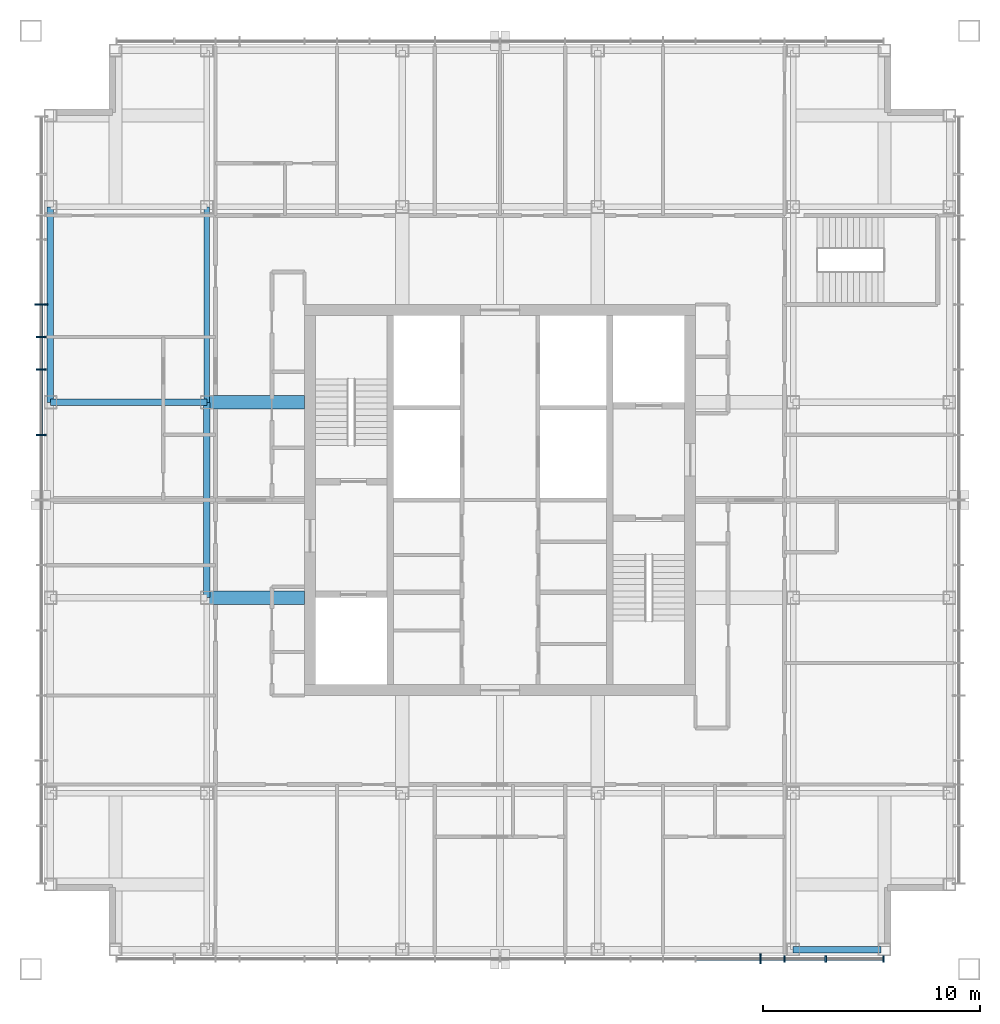
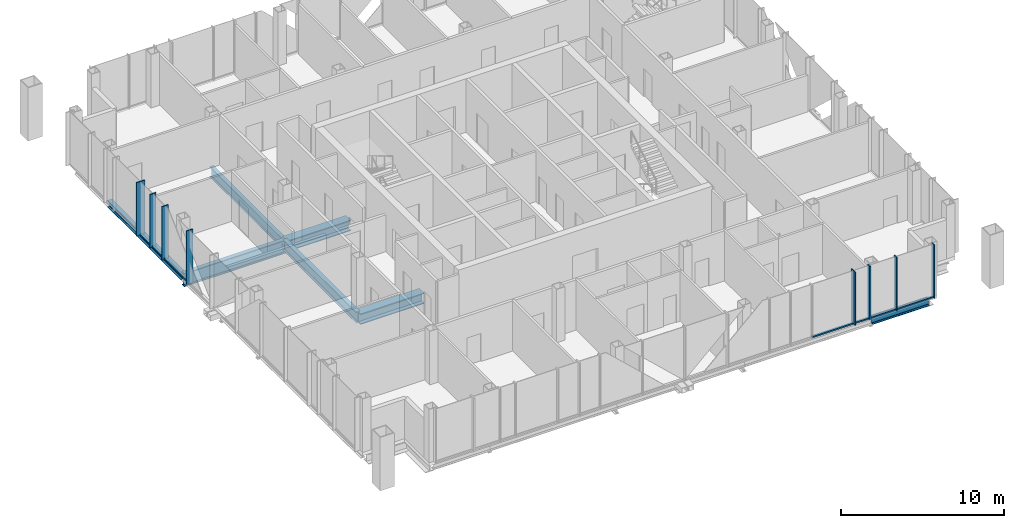
# One storey, part 3 of 12: 15 members, 7 beams, 2 elements without a shape of their own.
"""IFC4 building model written with IfcOpenShell, lengths in metres."""

from ifc_helpers import new_model, si_unit, direction, frame, origin, origin_2d, place, context, subcontext, project, spatial, rectangle, i_section, extrude, material, layer, layer_set, material_profile, profile_set, type_object, element, aggregate, save


model = new_model("IFC4")

# Units and contexts
model_context = context("Model", 3, precision=1e-05, world=origin(), true_north=direction((0.0, 1.0)))
body_context = subcontext(model_context, "Body", "Model", "MODEL_VIEW")
ifc_project = project(units=[si_unit("LENGTHUNIT", "METRE"), si_unit("AREAUNIT", "SQUARE_METRE"), si_unit("VOLUMEUNIT", "CUBIC_METRE"), si_unit("PLANEANGLEUNIT", "RADIAN"), si_unit("MASSUNIT", "GRAM", prefix="KILO")], contexts=[model_context])

# Site, building, storey
site_placement = place(None, origin())
site = spatial("IfcSite", under=ifc_project, at=site_placement, CompositionType="ELEMENT")
building_placement = place(site_placement, origin())
building = spatial("IfcBuilding", under=site, at=building_placement, Name="Malebo Sky Hospital", CompositionType="ELEMENT")
storey_placement = place(building_placement, frame((0.0, 0.0, 270.0)))
storey = spatial("IfcBuildingStorey", under=building, at=storey_placement, Name="L65", CompositionType="ELEMENT", Elevation=270.0)

# Curtain wall, members
ifc_material_1 = material(Name="Anodised aluminium, natural silver", Category="aluminium")
ifc_layer_1 = layer(ifc_material_1, 0.25)
ifc_layer_set_1 = layer_set([ifc_layer_1], Name="WARD CURTAIN WALL EAST AND WEST")
curtain_wall_type_1 = type_object("IfcCurtainWallType", Name="WARD CURTAIN WALL EAST AND WEST", PredefinedType="NOTDEFINED", material=ifc_layer_set_1)
curtain_wall_1_placement = place(storey_placement, origin())
curtain_wall_1 = element("IfcCurtainWall", 1, at=curtain_wall_1_placement, inside=storey, type_object=curtain_wall_type_1, Name="EW curtain wall W", PredefinedType="NOTDEFINED")
ifc_material_profile_1 = material_profile(ifc_material_1, rectangle(XDim=0.14990234375, YDim=0.10009765625, at=origin_2d()), Name="ALUMINIUM TRANSOM 150x100")
ifc_profile_set_1 = profile_set([ifc_material_profile_1], Name="Anodised aluminium, natural silver")
member_type_1 = type_object("IfcMemberType", Name="ALUMINIUM TRANSOM 150x100", PredefinedType="USERDEFINED", material=ifc_profile_set_1)
member_1_placement = place(storey_placement, frame((38.875, 65.03759765625, 0.050048828125), z_axis=(0.0, 1.0, 0.0), x_axis=(-1.0, 0.0, 0.0)))
member_1 = element("IfcMember", 2, at=member_1_placement, type_object=member_type_1, Name="Transom 9", ObjectType="TRANSOM", PredefinedType="USERDEFINED", context=body_context, shape_type="SweptSolid", body=[
    extrude(rectangle(XDim=0.14990234375, YDim=0.10009765625, at=origin_2d()), origin(), (0.0, 0.0, 1.0), 2.9248046875),
])
member_2_placement = place(storey_placement, frame((38.875, 68.03759765625, 0.050048828125), z_axis=(0.0, 1.0, 0.0), x_axis=(-1.0, 0.0, 0.0)))
member_2 = element("IfcMember", 3, at=member_2_placement, type_object=member_type_1, Name="Transom 10", ObjectType="TRANSOM", PredefinedType="USERDEFINED", context=body_context, shape_type="SweptSolid", body=[
    extrude(rectangle(XDim=0.14990234375, YDim=0.10009765625, at=origin_2d()), origin(), (0.0, 0.0, 1.0), 1.4248046875),
])
member_3_placement = place(storey_placement, frame((38.875, 69.53759765625, 0.050048828125), z_axis=(0.0, 1.0, 0.0), x_axis=(-1.0, 0.0, 0.0)))
member_3 = element("IfcMember", 4, at=member_3_placement, type_object=member_type_1, Name="Transom 11", ObjectType="TRANSOM", PredefinedType="USERDEFINED", context=body_context, shape_type="SweptSolid", body=[
    extrude(rectangle(XDim=0.14990234375, YDim=0.10009765625, at=origin_2d()), origin(), (0.0, 0.0, 1.0), 1.4248046875),
])

ifc_layer_2 = layer(ifc_material_1, 0.25)
ifc_layer_set_2 = layer_set([ifc_layer_2], Name="WARD CURTAIN WALL NORTH AND SOUTH")
curtain_wall_type_2 = type_object("IfcCurtainWallType", Name="WARD CURTAIN WALL NORTH AND SOUTH", PredefinedType="NOTDEFINED", material=ifc_layer_set_2)
curtain_wall_2_placement = place(storey_placement, origin())
curtain_wall_2 = element("IfcCurtainWall", 5, at=curtain_wall_2_placement, inside=storey, type_object=curtain_wall_type_2, Name="NS curtain wall S", PredefinedType="NOTDEFINED")
member_4_placement = place(storey_placement, frame((77.625, 40.875, 0.050048828125), z_axis=(-1.0, 0.0, 0.0), x_axis=(0.0, -1.0, 0.0)))
member_4 = element("IfcMember", 6, at=member_4_placement, type_object=member_type_1, Name="Transom 1", ObjectType="TRANSOM", PredefinedType="USERDEFINED", context=body_context, shape_type="SweptSolid", body=[
    extrude(rectangle(XDim=0.14990234375, YDim=0.10009765625, at=origin_2d()), origin(), (0.0, 0.0, 1.0), 2.58740234375),
])
member_5_placement = place(storey_placement, frame((74.96240234375, 40.875, 0.050048828125), z_axis=(-1.0, 0.0, 0.0), x_axis=(0.0, -1.0, 0.0)))
member_5 = element("IfcMember", 7, at=member_5_placement, type_object=member_type_1, Name="Transom 2", ObjectType="TRANSOM", PredefinedType="USERDEFINED", context=body_context, shape_type="SweptSolid", body=[
    extrude(rectangle(XDim=0.14990234375, YDim=0.10009765625, at=origin_2d()), origin(), (0.0, 0.0, 1.0), 1.824951171875),
])
member_6_placement = place(storey_placement, frame((73.0625, 40.875, 0.050048828125), z_axis=(-1.0, 0.0, 0.0), x_axis=(0.0, -1.0, 0.0)))
member_6 = element("IfcMember", 8, at=member_6_placement, type_object=member_type_1, Name="Transom 3", ObjectType="TRANSOM", PredefinedType="USERDEFINED", context=body_context, shape_type="SweptSolid", body=[
    extrude(rectangle(XDim=0.14990234375, YDim=0.10009765625, at=origin_2d()), origin(), (0.0, 0.0, 1.0), 1.02490234375),
])
member_7_placement = place(storey_placement, frame((71.96240234375, 40.875, 0.050048828125), z_axis=(-1.0, 0.0, 0.0), x_axis=(0.0, -1.0, 0.0)))
member_7 = element("IfcMember", 9, at=member_7_placement, type_object=member_type_1, Name="Transom 4", ObjectType="TRANSOM", PredefinedType="USERDEFINED", context=body_context, shape_type="SweptSolid", body=[
    extrude(rectangle(XDim=0.14990234375, YDim=0.10009765625, at=origin_2d()), origin(), (0.0, 0.0, 1.0), 2.9248046875),
])
ifc_material_profile_2 = material_profile(ifc_material_1, rectangle(XDim=0.074951171875, YDim=0.300048828125, at=origin_2d()), Name="CW1 ALUMINIUM FIN MULLION 75x300")
ifc_profile_set_2 = profile_set([ifc_material_profile_2], Name="Anodised aluminium, natural silver")
member_type_2 = type_object("IfcMemberType", Name="CW1 ALUMINIUM FIN MULLION 75x300", PredefinedType="MULLION", material=ifc_profile_set_2)
member_8_placement = place(storey_placement, frame((77.66259765625, 40.875, 0.0), z_axis=(0.0, 0.0, 1.0), x_axis=(-1.0, 0.0, 0.0)))
member_8 = element("IfcMember", 10, at=member_8_placement, type_object=member_type_2, Name="Fin mullion 1", PredefinedType="MULLION", context=body_context, shape_type="SweptSolid", body=[
    extrude(rectangle(XDim=0.074951171875, YDim=0.300048828125, at=origin_2d()), origin(), (0.0, 0.0, 1.0), 4.0),
])
member_9_placement = place(storey_placement, frame((75.0, 40.875, 0.0), z_axis=(0.0, 0.0, 1.0), x_axis=(-1.0, 0.0, 0.0)))
member_9 = element("IfcMember", 11, at=member_9_placement, type_object=member_type_2, Name="Fin mullion 2", PredefinedType="MULLION", context=body_context, shape_type="SweptSolid", body=[
    extrude(rectangle(XDim=0.074951171875, YDim=0.300048828125, at=origin_2d()), origin(), (0.0, 0.0, 1.0), 4.0),
])
member_10_placement = place(storey_placement, frame((73.10009765625, 40.875, 0.0), z_axis=(0.0, 0.0, 1.0), x_axis=(-1.0, 0.0, 0.0)))
member_10 = element("IfcMember", 12, at=member_10_placement, type_object=member_type_2, Name="Fin mullion 3", PredefinedType="MULLION", context=body_context, shape_type="SweptSolid", body=[
    extrude(rectangle(XDim=0.074951171875, YDim=0.300048828125, at=origin_2d()), origin(), (0.0, 0.0, 1.0), 4.0),
])
ifc_material_profile_3 = material_profile(ifc_material_1, rectangle(XDim=0.074951171875, YDim=0.449951171875, at=origin_2d()), Name="CW1 ALUMINIUM FIN MULLION 75x450")
ifc_profile_set_3 = profile_set([ifc_material_profile_3], Name="Anodised aluminium, natural silver")
member_type_3 = type_object("IfcMemberType", Name="CW1 ALUMINIUM FIN MULLION 75x450", PredefinedType="MULLION", material=ifc_profile_set_3)
member_11_placement = place(storey_placement, frame((72.0, 40.875, 0.0), z_axis=(0.0, 0.0, 1.0), x_axis=(-1.0, 0.0, 0.0)))
member_11 = element("IfcMember", 13, at=member_11_placement, type_object=member_type_3, Name="Fin mullion 4", PredefinedType="MULLION", context=body_context, shape_type="SweptSolid", body=[
    extrude(rectangle(XDim=0.074951171875, YDim=0.449951171875, at=origin_2d()), origin(), (0.0, 0.0, 1.0), 4.0),
])
aggregate(curtain_wall_2, [member_8, member_9, member_10, member_11, member_4, member_5, member_6, member_7])

# Member
ifc_material_profile_4 = material_profile(ifc_material_1, rectangle(XDim=0.074951171875, YDim=0.449951171875, at=origin_2d()), Name="CW2 ALUMINIUM FIN MULLION 75x450")
ifc_profile_set_4 = profile_set([ifc_material_profile_4], Name="Anodised aluminium, natural silver")
member_type_4 = type_object("IfcMemberType", Name="CW2 ALUMINIUM FIN MULLION 75x450", PredefinedType="MULLION", material=ifc_profile_set_4)
member_12_placement = place(storey_placement, frame((38.875, 65.0, 0.0), z_axis=(0.0, 0.0, 1.0), x_axis=(0.0, 1.0, 0.0)))
member_12 = element("IfcMember", 14, at=member_12_placement, type_object=member_type_4, Name="Fin mullion 9", PredefinedType="MULLION", context=body_context, shape_type="SweptSolid", body=[
    extrude(rectangle(XDim=0.074951171875, YDim=0.449951171875, at=origin_2d()), origin(), (0.0, 0.0, 1.0), 4.0),
])

member_13_placement = place(storey_placement, frame((38.875, 68.0, 0.0), z_axis=(0.0, 0.0, 1.0), x_axis=(0.0, 1.0, 0.0)))
member_13 = element("IfcMember", 15, at=member_13_placement, type_object=member_type_4, Name="Fin mullion 10", PredefinedType="MULLION", context=body_context, shape_type="SweptSolid", body=[
    extrude(rectangle(XDim=0.074951171875, YDim=0.449951171875, at=origin_2d()), origin(), (0.0, 0.0, 1.0), 4.0),
])

member_14_placement = place(storey_placement, frame((38.875, 69.5, 0.0), z_axis=(0.0, 0.0, 1.0), x_axis=(0.0, 1.0, 0.0)))
member_14 = element("IfcMember", 16, at=member_14_placement, type_object=member_type_4, Name="Fin mullion 11", PredefinedType="MULLION", context=body_context, shape_type="SweptSolid", body=[
    extrude(rectangle(XDim=0.074951171875, YDim=0.449951171875, at=origin_2d()), origin(), (0.0, 0.0, 1.0), 4.0),
])

ifc_material_profile_5 = material_profile(ifc_material_1, rectangle(XDim=0.074951171875, YDim=0.60009765625, at=origin_2d()), Name="CW2 ALUMINIUM FIN MULLION 75x600")
ifc_profile_set_5 = profile_set([ifc_material_profile_5], Name="Anodised aluminium, natural silver")
member_type_5 = type_object("IfcMemberType", Name="CW2 ALUMINIUM FIN MULLION 75x600", PredefinedType="MULLION", material=ifc_profile_set_5)
member_15_placement = place(storey_placement, frame((38.875, 71.0, 0.0), z_axis=(0.0, 0.0, 1.0), x_axis=(0.0, 1.0, 0.0)))
member_15 = element("IfcMember", 17, at=member_15_placement, type_object=member_type_5, Name="Fin mullion 12", PredefinedType="MULLION", context=body_context, shape_type="SweptSolid", body=[
    extrude(rectangle(XDim=0.074951171875, YDim=0.60009765625, at=origin_2d()), origin(), (0.0, 0.0, 1.0), 4.0),
])

aggregate(curtain_wall_1, [member_12, member_13, member_14, member_15, member_1, member_2, member_3])

# Beams
ifc_material_2 = material(Name="Steel S355", Category="steel")
ifc_material_profile_6 = material_profile(ifc_material_2, i_section(OverallWidth=0.305908203125, OverallDepth=0.52392578125, WebThickness=0.02099609375, FlangeThickness=0.0400390625, FilletRadius=0.027099609375, at=origin_2d()), Name="HEM 500")
ifc_profile_set_6 = profile_set([ifc_material_profile_6], Name="Steel S355")
beam_type_1 = type_object("IfcBeamType", Name="EDGE BEAM HEM 500", PredefinedType="BEAM", material=ifc_profile_set_6)
beam_1_placement = place(storey_placement, frame((39.300048828125, 66.5, -0.511962890625), z_axis=(0.0, 1.0, 0.0), x_axis=(-1.0, 0.0, 0.0)))
element("IfcBeam", 18, at=beam_1_placement, inside=storey, type_object=beam_type_1, Name="Beam 003 L65", PredefinedType="BEAM", context=body_context, shape_type="SweptSolid", body=[
    extrude(i_section(OverallWidth=0.305908203125, OverallDepth=0.52392578125, WebThickness=0.02099609375, FlangeThickness=0.0400390625, FilletRadius=0.027099609375, at=origin_2d()), origin(), (0.0, 0.0, 1.0), 9.0),
])
beam_2_placement = place(storey_placement, frame((73.5, 41.300048828125, -0.511962890625), z_axis=(1.0, 0.0, 0.0), x_axis=(0.0, 1.0, 0.0)))
element("IfcBeam", 19, at=beam_2_placement, inside=storey, type_object=beam_type_1, Name="Beam 038 L65", PredefinedType="BEAM", context=body_context, shape_type="SweptSolid", body=[
    extrude(i_section(OverallWidth=0.305908203125, OverallDepth=0.52392578125, WebThickness=0.02099609375, FlangeThickness=0.0400390625, FilletRadius=0.027099609375, at=origin_2d()), origin(), (0.0, 0.0, 1.0), 4.050048828125),
])
ifc_material_profile_7 = material_profile(ifc_material_2, i_section(OverallWidth=0.300048828125, OverallDepth=1.0, WebThickness=0.01904296875, FlangeThickness=0.035888671875, FilletRadius=0.030029296875, at=origin_2d()), Name="HEB 1000")
ifc_profile_set_7 = profile_set([ifc_material_profile_7], Name="Steel S355")
beam_type_2 = type_object("IfcBeamType", Name="FLOOR BEAM HEB 1000", PredefinedType="BEAM", material=ifc_profile_set_7)
beam_3_placement = place(storey_placement, frame((39.300048828125, 66.5, -0.75), z_axis=(1.0, 0.0, 0.0), x_axis=(0.0, 1.0, 0.0)))
element("IfcBeam", 20, at=beam_3_placement, inside=storey, type_object=beam_type_2, Name="Beam 052 L65", PredefinedType="BEAM", context=body_context, shape_type="SweptSolid", body=[
    extrude(i_section(OverallWidth=0.300048828125, OverallDepth=1.0, WebThickness=0.01904296875, FlangeThickness=0.035888671875, FilletRadius=0.030029296875, at=origin_2d()), origin(), (0.0, 0.0, 1.0), 7.199951171875),
])
ifc_material_profile_8 = material_profile(ifc_material_2, i_section(OverallWidth=0.26708984375, OverallDepth=0.761962890625, WebThickness=0.014404296875, FlangeThickness=0.021484375, FilletRadius=0.01708984375, at=origin_2d()), Name="IPE 750x173")
ifc_profile_set_8 = profile_set([ifc_material_profile_8], Name="Steel S355")
beam_type_3 = type_object("IfcBeamType", Name="FLOOR BEAM IPE 750x173", PredefinedType="BEAM", material=ifc_profile_set_8)
beam_4_placement = place(storey_placement, frame((46.5, 66.5, -0.631103515625), z_axis=(0.0, 1.0, 0.0), x_axis=(-1.0, 0.0, 0.0)))
element("IfcBeam", 21, at=beam_4_placement, inside=storey, type_object=beam_type_3, Name="Beam 010 L65", PredefinedType="BEAM", context=body_context, shape_type="SweptSolid", body=[
    extrude(i_section(OverallWidth=0.26708984375, OverallDepth=0.761962890625, WebThickness=0.014404296875, FlangeThickness=0.021484375, FilletRadius=0.01708984375, at=origin_2d()), origin(), (0.0, 0.0, 1.0), 9.0),
])
ifc_material_profile_9 = material_profile(ifc_material_2, i_section(OverallWidth=0.60009765625, OverallDepth=0.800048828125, WebThickness=0.0400390625, FlangeThickness=0.06005859375, at=origin_2d()), Name="PG 800x600x40x60")
ifc_profile_set_9 = profile_set([ifc_material_profile_9], Name="Steel S355")
beam_type_4 = type_object("IfcBeamType", Name="FLOOR BEAM PG 800x600x40x60", PredefinedType="BEAM", material=ifc_profile_set_9)
for number, where, z_axis, x_axis, name in (
    (22, (46.5, 57.5, -0.64990234375), (1.0, 0.0, 0.0), (0.0, 1.0, 0.0), "Beam 047 L65"),
    (23, (46.5, 66.5, -0.64990234375), (1.0, 0.0, 0.0), (0.0, 1.0, 0.0), "Beam 053 L65"),
):
    element("IfcBeam", number, at=place(storey_placement, frame(where, z_axis=z_axis, x_axis=x_axis)), inside=storey, type_object=beam_type_4, Name=name, PredefinedType="BEAM", context=body_context, shape_type="SweptSolid", body=[
        extrude(i_section(OverallWidth=0.60009765625, OverallDepth=0.800048828125, WebThickness=0.0400390625, FlangeThickness=0.06005859375, at=origin_2d()), origin(), (0.0, 0.0, 1.0), 4.5),
    ])
ifc_material_profile_10 = material_profile(ifc_material_2, i_section(OverallWidth=0.300048828125, OverallDepth=0.800048828125, WebThickness=0.017578125, FlangeThickness=0.032958984375, FilletRadius=0.030029296875, at=origin_2d()), Name="HEB 800")
ifc_profile_set_10 = profile_set([ifc_material_profile_10], Name="Steel S355")
beam_type_5 = type_object("IfcBeamType", Name="RING GIRDER HEB 800", PredefinedType="BEAM", material=ifc_profile_set_10)
beam_5_placement = place(storey_placement, frame((46.5, 57.5, -0.64990234375), z_axis=(0.0, 1.0, 0.0), x_axis=(-1.0, 0.0, 0.0)))
element("IfcBeam", 24, at=beam_5_placement, inside=storey, type_object=beam_type_5, Name="Beam 009 L65", PredefinedType="BEAM", context=body_context, shape_type="SweptSolid", body=[
    extrude(i_section(OverallWidth=0.300048828125, OverallDepth=0.800048828125, WebThickness=0.017578125, FlangeThickness=0.032958984375, FilletRadius=0.030029296875, at=origin_2d()), origin(), (0.0, 0.0, 1.0), 9.0),
])

save(model, "model.ifc")
